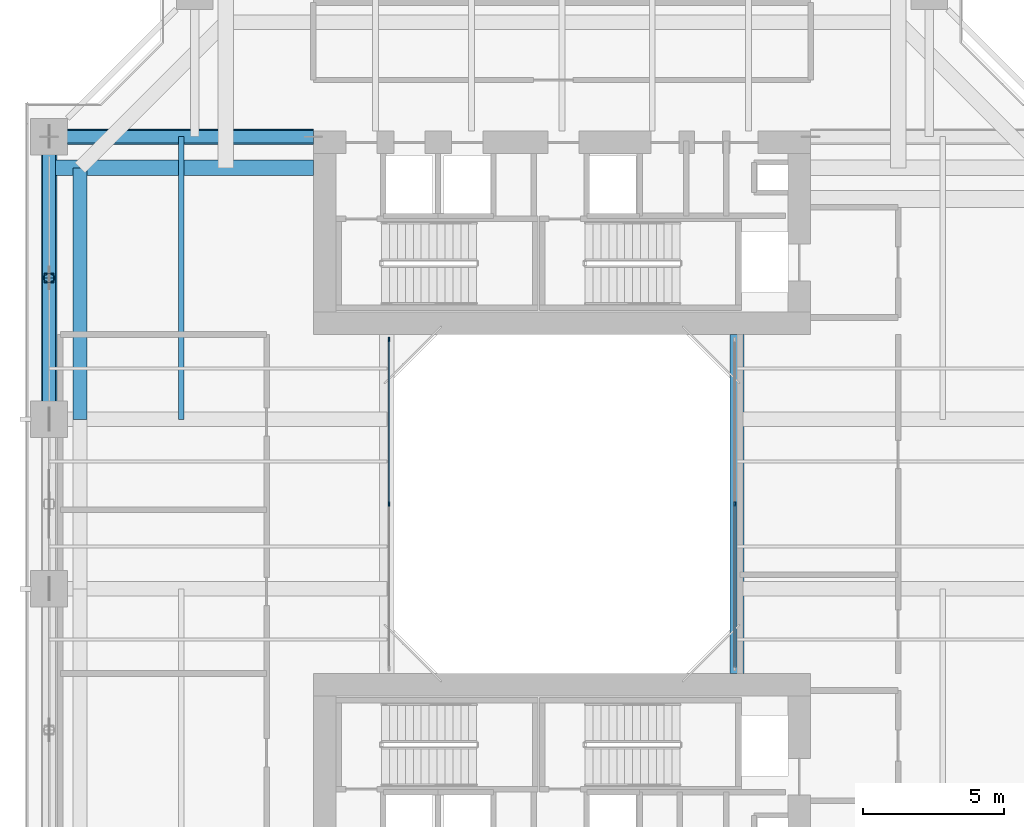
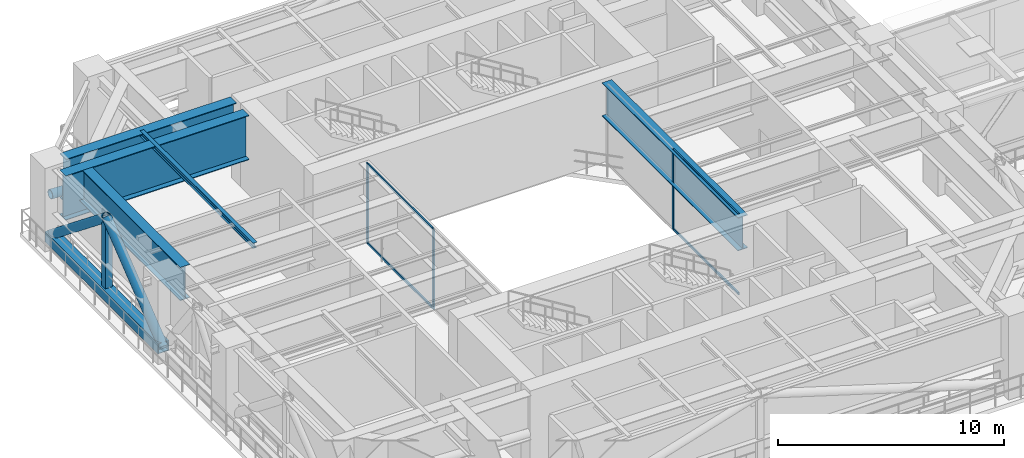
# One storey, part 4 of 25: 12 members, 5 beams, 2 elements without a shape of their own.
"""IFC4 building model written with IfcOpenShell, lengths in metres."""

from ifc_helpers import new_model, si_unit, direction, frame, origin, origin_2d, place, context, subcontext, project, spatial, rectangle, hollow_rectangle, hollow_circle, i_section, extrude, source, transform, mapped, material, layer, layer_set, material_profile, profile_set, type_object, element, aggregate, save


model = new_model("IFC4")

# Units and contexts
model_context = context("Model", 3, precision=1e-05, world=origin(), true_north=direction((0.0, 1.0)))
body_context = subcontext(model_context, "Body", "Model", "MODEL_VIEW")
ifc_project = project(units=[si_unit("LENGTHUNIT", "METRE"), si_unit("AREAUNIT", "SQUARE_METRE"), si_unit("VOLUMEUNIT", "CUBIC_METRE"), si_unit("PLANEANGLEUNIT", "RADIAN"), si_unit("MASSUNIT", "GRAM", prefix="KILO"), si_unit("THERMODYNAMICTEMPERATUREUNIT", "KELVIN"), si_unit("POWERUNIT", "WATT")], contexts=[model_context])

# Site, building, storey
site_placement = place(None, origin())
site = spatial("IfcSite", under=ifc_project, at=site_placement, CompositionType="ELEMENT")
building_placement = place(site_placement, origin())
building = spatial("IfcBuilding", under=site, at=building_placement, Name="Qiaomeng Ring Towers", CompositionType="ELEMENT")
storey_placement = place(building_placement, frame((0.0, 0.0, 92.5)))
storey = spatial("IfcBuildingStorey", under=building, at=storey_placement, Name="L26", CompositionType="ELEMENT", Elevation=92.5)

# Beam
ifc_material_1 = material(Name="Steel Q355B", Category="steel")
ifc_material_profile_1 = material_profile(ifc_material_1, i_section(OverallWidth=0.199951171875, OverallDepth=0.2939453125, WebThickness=0.008056640625, FlangeThickness=0.011962890625, FilletRadius=0.01806640625, at=origin_2d()), Name="HM 294x200x8x12")
ifc_profile_set_1 = profile_set([ifc_material_profile_1], Name="Steel Q355B")
beam_type_1 = type_object("IfcBeamType", Name="STR-BM-HM294", PredefinedType="JOIST", material=ifc_profile_set_1)
shared_shape_1 = source(origin(), body_context, "Body", "SweptSolid", [
    extrude(i_section(OverallWidth=0.199951171875, OverallDepth=0.2939453125, WebThickness=0.008056640625, FlangeThickness=0.011962890625, FilletRadius=0.01806640625, at=origin_2d()), origin(), (0.0, 0.0, 1.0), 10.0),
])
beam_1_placement = place(storey_placement, frame((5.52490234375, 26.0, 4.173095703125), z_axis=(0.0, 1.0, 0.0), x_axis=(-1.0, 0.0, 0.0)))
element("IfcBeam", 1, at=beam_1_placement, inside=storey, type_object=beam_type_1, Name="L26 beam STR-JST-L26-T1C-WN", PredefinedType="JOIST", context=body_context, shape_type="MappedRepresentation", body=[
    mapped(shared_shape_1, transform((0.0, 0.0, 0.0), x_axis=(1.0, 0.0, 0.0), y_axis=(0.0, 1.0, 0.0), z_axis=(0.0, 0.0, 1.0), scale=1.0)),
])

# Members
ifc_material_2 = material(Name="Steel Q390GJC", Category="steel")
ifc_material_profile_2 = material_profile(ifc_material_2, hollow_rectangle(XDim=0.35009765625, YDim=0.35009765625, WallThickness=0.02001953125, at=origin_2d()), Name="SHS 350x350x20")
ifc_profile_set_2 = profile_set([ifc_material_profile_2], Name="Steel Q390GJC")
member_type_1 = type_object("IfcMemberType", Name="STR-MB-POST-350", PredefinedType="POST", material=ifc_profile_set_2)
shared_shape_2 = source(origin(), body_context, "Body", "SweptSolid", [
    extrude(hollow_rectangle(XDim=0.35009765625, YDim=0.35009765625, WallThickness=0.02001953125, at=origin_2d()), origin(), (0.0, 0.0, 1.0), 4.0),
])
member_1_placement = place(storey_placement, frame((0.85009765625, 31.0, 0.320068359375), z_axis=(0.0, 0.0, 1.0), x_axis=(1.0, 0.0, 0.0)))
element("IfcMember", 2, at=member_1_placement, inside=storey, type_object=member_type_1, Name="L26 Belt Truss Post W4-W3", PredefinedType="POST", context=body_context, shape_type="MappedRepresentation", body=[
    mapped(shared_shape_2, transform((0.0, 0.0, 0.0), x_axis=(1.0, 0.0, 0.0), y_axis=(0.0, 1.0, 0.0), z_axis=(0.0, 0.0, 1.0), scale=1.0)),
])
ifc_material_profile_3 = material_profile(ifc_material_2, hollow_rectangle(XDim=0.550048828125, YDim=0.550048828125, WallThickness=0.031982421875, at=origin_2d()), Name="SHS 550x550x32")
ifc_profile_set_3 = profile_set([ifc_material_profile_3], Name="Steel Q390GJC")
member_type_2 = type_object("IfcMemberType", Name="STR-MB-CHORD-550", PredefinedType="CHORD", material=ifc_profile_set_3)
shared_shape_3 = source(origin(), body_context, "Body", "SweptSolid", [
    extrude(hollow_rectangle(XDim=0.550048828125, YDim=0.550048828125, WallThickness=0.031982421875, at=origin_2d()), origin(), (0.0, 0.0, 1.0), 10.0),
])
member_2_placement = place(storey_placement, frame((0.85009765625, 36.0, 0.320068359375), z_axis=(0.0, -1.0, 0.0), x_axis=(1.0, 0.0, 0.0)))
element("IfcMember", 3, at=member_2_placement, inside=storey, type_object=member_type_2, Name="L26 Belt Truss Bottom Chord W4-W3", PredefinedType="CHORD", context=body_context, shape_type="MappedRepresentation", body=[
    mapped(shared_shape_3, transform((0.0, 0.0, 0.0), x_axis=(1.0, 0.0, 0.0), y_axis=(0.0, 1.0, 0.0), z_axis=(0.0, 0.0, 1.0), scale=1.0)),
])
ifc_material_profile_4 = material_profile(ifc_material_2, hollow_circle(Radius=0.228515625, WallThickness=0.028076171875, at=origin_2d()), Name="CHS 457x28")
ifc_profile_set_4 = profile_set([ifc_material_profile_4], Name="Steel Q390GJC")
member_type_3 = type_object("IfcMemberType", Name="STR-MB-BR-457", PredefinedType="BRACE", material=ifc_profile_set_4)
shared_shape_4 = source(origin(), body_context, "Body", "SweptSolid", [
    extrude(hollow_circle(Radius=0.228515625, WallThickness=0.028076171875, at=origin_2d()), origin(), (0.0, 0.0, 1.0), 6.390625),
])
for number, where, z_axis, x_axis, name in (
    (4, (0.85009765625, 36.0, 0.320068359375), (0.0, -0.782394587595, 0.622783035497), (1.0, 0.0, 0.0), "L26 Belt Truss Diagonal W4-M"),
    (5, (0.85009765625, 26.0, 0.320068359375), (0.0, 0.782394587595, 0.622783035497), (-1.0, 0.0, 0.0), "L26 Belt Truss Diagonal W3-M"),
):
    element("IfcMember", number, at=place(storey_placement, frame(where, z_axis=z_axis, x_axis=x_axis)), inside=storey, type_object=member_type_3, Name=name, PredefinedType="BRACE", context=body_context, shape_type="MappedRepresentation", body=[
        mapped(shared_shape_4, transform((0.0, 0.0, 0.0), x_axis=(1.0, 0.0, 0.0), y_axis=(0.0, 1.0, 0.0), z_axis=(0.0, 0.0, 1.0), scale=1.0)),
    ])

# Beams
ifc_material_profile_5 = material_profile(ifc_material_2, i_section(OverallWidth=0.5, OverallDepth=1.800048828125, WebThickness=0.02392578125, FlangeThickness=0.035888671875, at=origin_2d()), Name="WH 1800x500x24x36")
ifc_profile_set_5 = profile_set([ifc_material_profile_5], Name="Steel Q390GJC")
beam_type_2 = type_object("IfcBeamType", Name="STR-TG-WH1800", PredefinedType="USERDEFINED", material=ifc_profile_set_5)
shared_shape_5 = source(origin(), body_context, "Body", "SweptSolid", [
    extrude(i_section(OverallWidth=0.5, OverallDepth=1.800048828125, WebThickness=0.02392578125, FlangeThickness=0.035888671875, at=origin_2d()), origin(), (0.0, 0.0, 1.0), 12.0),
])
beam_2_placement = place(storey_placement, frame((25.199951171875, 17.0, 3.419921875), z_axis=(0.0, 1.0, 0.0), x_axis=(-1.0, 0.0, 0.0)))
element("IfcBeam", 6, at=beam_2_placement, inside=storey, type_object=beam_type_2, Name="L26 Transfer Girder STR-TG2-L26-WELL-E", ObjectType="TRANSFER GIRDER", PredefinedType="USERDEFINED", context=body_context, shape_type="MappedRepresentation", body=[
    mapped(shared_shape_5, transform((0.0, 0.0, 0.0), x_axis=(1.0, 0.0, 0.0), y_axis=(0.0, 1.0, 0.0), z_axis=(0.0, 0.0, 1.0), scale=1.0)),
])
ifc_material_profile_6 = material_profile(ifc_material_2, i_section(OverallWidth=0.550048828125, OverallDepth=2.39990234375, WebThickness=0.02587890625, FlangeThickness=0.035888671875, at=origin_2d()), Name="WH 2400x550x26x36")
ifc_profile_set_6 = profile_set([ifc_material_profile_6], Name="Steel Q390GJC")
beam_type_3 = type_object("IfcBeamType", Name="STR-TG-WH2400", PredefinedType="USERDEFINED", material=ifc_profile_set_6)
shared_shape_6 = source(origin(), body_context, "Body", "SweptSolid", [
    extrude(i_section(OverallWidth=0.550048828125, OverallDepth=2.39990234375, WebThickness=0.02587890625, FlangeThickness=0.035888671875, at=origin_2d()), origin(), (0.0, 0.0, 1.0), 8.700927734375),
])
beam_3_placement = place(storey_placement, frame((1.4990234375, 36.0, 3.1201171875), z_axis=(1.0, 0.0, 0.0), x_axis=(0.0, 1.0, 0.0)))
element("IfcBeam", 7, at=beam_3_placement, inside=storey, type_object=beam_type_3, Name="L26 Transfer Girder STR-TG2-L26-W4-CUR", ObjectType="TRANSFER GIRDER", PredefinedType="USERDEFINED", context=body_context, shape_type="MappedRepresentation", body=[
    mapped(shared_shape_6, transform((0.0, 0.0, 0.0), x_axis=(1.0, 0.0, 0.0), y_axis=(0.0, 1.0, 0.0), z_axis=(0.0, 0.0, 1.0), scale=1.0)),
])
shared_shape_7 = source(origin(), body_context, "Body", "SweptSolid", [
    extrude(i_section(OverallWidth=0.550048828125, OverallDepth=2.39990234375, WebThickness=0.02587890625, FlangeThickness=0.035888671875, at=origin_2d()), origin(), (0.0, 0.0, 1.0), 9.349853515625),
])
beam_4_placement = place(storey_placement, frame((0.85009765625, 34.89990234375, 3.1201171875), z_axis=(1.0, 0.0, 0.0), x_axis=(0.0, 1.0, 0.0)))
element("IfcBeam", 8, at=beam_4_placement, inside=storey, type_object=beam_type_3, Name="L26 Transfer Girder STR-TG2-L26-W4-NXT", ObjectType="TRANSFER GIRDER", PredefinedType="USERDEFINED", context=body_context, shape_type="MappedRepresentation", body=[
    mapped(shared_shape_7, transform((0.0, 0.0, 0.0), x_axis=(1.0, 0.0, 0.0), y_axis=(0.0, 1.0, 0.0), z_axis=(0.0, 0.0, 1.0), scale=1.0)),
])
shared_shape_8 = source(origin(), body_context, "Body", "SweptSolid", [
    extrude(i_section(OverallWidth=0.5, OverallDepth=1.800048828125, WebThickness=0.02392578125, FlangeThickness=0.035888671875, at=origin_2d()), origin(), (0.0, 0.0, 1.0), 8.89990234375),
])
beam_5_placement = place(storey_placement, frame((1.949951171875, 34.89990234375, 3.419921875), z_axis=(0.0, -1.0, 0.0), x_axis=(1.0, 0.0, 0.0)))
element("IfcBeam", 9, at=beam_5_placement, inside=storey, type_object=beam_type_2, Name="L26 Transfer Girder STR-TG3-L26-W4-W3", ObjectType="TRANSFER GIRDER", PredefinedType="USERDEFINED", context=body_context, shape_type="MappedRepresentation", body=[
    mapped(shared_shape_8, transform((0.0, 0.0, 0.0), x_axis=(1.0, 0.0, 0.0), y_axis=(0.0, 1.0, 0.0), z_axis=(0.0, 0.0, 1.0), scale=1.0)),
])

# Member
shared_shape_9 = source(origin(), body_context, "Body", "SweptSolid", [
    extrude(hollow_circle(Radius=0.228515625, WallThickness=0.028076171875, at=origin_2d()), origin(), (0.0, 0.0, 1.0), 9.3564453125),
])
member_3_placement = place(storey_placement, frame((10.199951171875, 36.0, 2.14990234375), z_axis=(-0.999299702771, 0.0, 0.037417964169), x_axis=(0.0, -1.0, 0.0)))
element("IfcMember", 10, at=member_3_placement, inside=storey, type_object=member_type_3, Name="L26 Core Outrigger Truss Diagonal W4", PredefinedType="BRACE", context=body_context, shape_type="MappedRepresentation", body=[
    mapped(shared_shape_9, transform((0.0, 0.0, 0.0), x_axis=(1.0, 0.0, 0.0), y_axis=(0.0, 1.0, 0.0), z_axis=(0.0, 0.0, 1.0), scale=1.0)),
])

# Curtain wall, members
ifc_material_3 = material(Name="Fluorocarbon dark-grey aluminium", Category="aluminium")
ifc_layer = layer(ifc_material_3, 0.139892578125, Name="Fluorocarbon dark-grey aluminium")
ifc_layer_set = layer_set([ifc_layer], Name="Fluorocarbon dark-grey aluminium")
curtain_wall_type = type_object("IfcCurtainWallType", Name="ARC-CW-4", PredefinedType="NOTDEFINED", material=ifc_layer_set)
curtain_wall_1_placement = place(storey_placement, origin())
curtain_wall_1 = element("IfcCurtainWall", 11, at=curtain_wall_1_placement, inside=storey, type_object=curtain_wall_type, Name="L26 Curtain Wall CW4", PredefinedType="NOTDEFINED")
ifc_material_profile_7 = material_profile(ifc_material_3, rectangle(XDim=0.06494140625, YDim=0.1298828125, at=origin_2d()), Name="ALU TRAN 65x130")
ifc_profile_set_7 = profile_set([ifc_material_profile_7], Name="Fluorocarbon dark-grey aluminium")
member_type_4 = type_object("IfcMemberType", Name="ARC-CWT-120", PredefinedType="USERDEFINED", material=ifc_profile_set_7)
shared_shape_10 = source(origin(), body_context, "Body", "SweptSolid", [
    extrude(rectangle(XDim=0.06494140625, YDim=0.1298828125, at=origin_2d()), origin(), (0.0, 0.0, 1.0), 5.75244140625),
])
member_4_placement = place(storey_placement, frame((12.8798828125, 23.032470703125, 0.032470703125), z_axis=(0.0, 1.0, 0.0), x_axis=(-1.0, 0.0, 0.0)))
member_4 = element("IfcMember", 12, at=member_4_placement, type_object=member_type_4, Name="CW4 transom 2.1", ObjectType="TRANSOM", PredefinedType="USERDEFINED", context=body_context, shape_type="MappedRepresentation", body=[
    mapped(shared_shape_10, transform((0.0, 0.0, 0.0), x_axis=(1.0, 0.0, 0.0), y_axis=(0.0, 1.0, 0.0), z_axis=(0.0, 0.0, 1.0), scale=1.0)),
])
member_5_placement = place(storey_placement, frame((12.8798828125, 23.032470703125, 4.28759765625), z_axis=(0.0, 1.0, 0.0), x_axis=(-1.0, 0.0, 0.0)))
member_5 = element("IfcMember", 13, at=member_5_placement, type_object=member_type_4, Name="CW4 transom 2.2", ObjectType="TRANSOM", PredefinedType="USERDEFINED", context=body_context, shape_type="MappedRepresentation", body=[
    mapped(shared_shape_10, transform((0.0, 0.0, 0.0), x_axis=(1.0, 0.0, 0.0), y_axis=(0.0, 1.0, 0.0), z_axis=(0.0, 0.0, 1.0), scale=1.0)),
])

curtain_wall_2_placement = place(storey_placement, origin())
curtain_wall_2 = element("IfcCurtainWall", 14, at=curtain_wall_2_placement, inside=storey, type_object=curtain_wall_type, Name="L26 Curtain Wall CW4", PredefinedType="NOTDEFINED")
member_6_placement = place(storey_placement, frame((25.1201171875, 17.215087890625, 0.032470703125), z_axis=(0.0, 1.0, 0.0), x_axis=(-1.0, 0.0, 0.0)))
member_6 = element("IfcMember", 15, at=member_6_placement, type_object=member_type_4, Name="CW4 transom 1.1", ObjectType="TRANSOM", PredefinedType="USERDEFINED", context=body_context, shape_type="MappedRepresentation", body=[
    mapped(shared_shape_10, transform((0.0, 0.0, 0.0), x_axis=(1.0, 0.0, 0.0), y_axis=(0.0, 1.0, 0.0), z_axis=(0.0, 0.0, 1.0), scale=1.0)),
])
member_7_placement = place(storey_placement, frame((25.1201171875, 17.215087890625, 4.28759765625), z_axis=(0.0, 1.0, 0.0), x_axis=(-1.0, 0.0, 0.0)))
member_7 = element("IfcMember", 16, at=member_7_placement, type_object=member_type_4, Name="CW4 transom 1.2", ObjectType="TRANSOM", PredefinedType="USERDEFINED", context=body_context, shape_type="MappedRepresentation", body=[
    mapped(shared_shape_10, transform((0.0, 0.0, 0.0), x_axis=(1.0, 0.0, 0.0), y_axis=(0.0, 1.0, 0.0), z_axis=(0.0, 0.0, 1.0), scale=1.0)),
])

# Member
ifc_material_profile_8 = material_profile(ifc_material_3, rectangle(XDim=0.06494140625, YDim=0.159912109375, at=origin_2d()), Name="ALU MULL 65x160")
ifc_profile_set_8 = profile_set([ifc_material_profile_8], Name="Fluorocarbon dark-grey aluminium")
member_type_5 = type_object("IfcMemberType", Name="ARC-CWM-140", PredefinedType="MULLION", material=ifc_profile_set_8)
shared_shape_11 = source(origin(), body_context, "Body", "SweptSolid", [
    extrude(rectangle(XDim=0.06494140625, YDim=0.159912109375, at=origin_2d()), origin(), (0.0, 0.0, 1.0), 4.320068359375),
])
member_8_placement = place(storey_placement, frame((12.8798828125, 23.0, 0.0), z_axis=(0.0, 0.0, 1.0), x_axis=(-1.0, 0.0, 0.0)))
member_8 = element("IfcMember", 17, at=member_8_placement, type_object=member_type_5, Name="CW4 mullion 2", PredefinedType="MULLION", context=body_context, shape_type="MappedRepresentation", body=[
    mapped(shared_shape_11, transform((0.0, 0.0, 0.0), x_axis=(1.0, 0.0, 0.0), y_axis=(0.0, 1.0, 0.0), z_axis=(0.0, 0.0, 1.0), scale=1.0)),
])

member_9_placement = place(storey_placement, frame((12.8798828125, 28.8173828125, 0.0), z_axis=(0.0, 0.0, 1.0), x_axis=(-1.0, 0.0, 0.0)))
member_9 = element("IfcMember", 18, at=member_9_placement, type_object=member_type_5, Name="CW4 mullion 3", PredefinedType="MULLION", context=body_context, shape_type="MappedRepresentation", body=[
    mapped(shared_shape_11, transform((0.0, 0.0, 0.0), x_axis=(1.0, 0.0, 0.0), y_axis=(0.0, 1.0, 0.0), z_axis=(0.0, 0.0, 1.0), scale=1.0)),
])

aggregate(curtain_wall_1, [member_8, member_9, member_4, member_5])

member_10_placement = place(storey_placement, frame((25.1201171875, 23.0, 0.0), z_axis=(0.0, 0.0, 1.0), x_axis=(-1.0, 0.0, 0.0)))
member_10 = element("IfcMember", 19, at=member_10_placement, type_object=member_type_5, Name="CW4 mullion 2", PredefinedType="MULLION", context=body_context, shape_type="MappedRepresentation", body=[
    mapped(shared_shape_11, transform((0.0, 0.0, 0.0), x_axis=(1.0, 0.0, 0.0), y_axis=(0.0, 1.0, 0.0), z_axis=(0.0, 0.0, 1.0), scale=1.0)),
])

aggregate(curtain_wall_2, [member_10, member_6, member_7])

save(model, "model.ifc")
